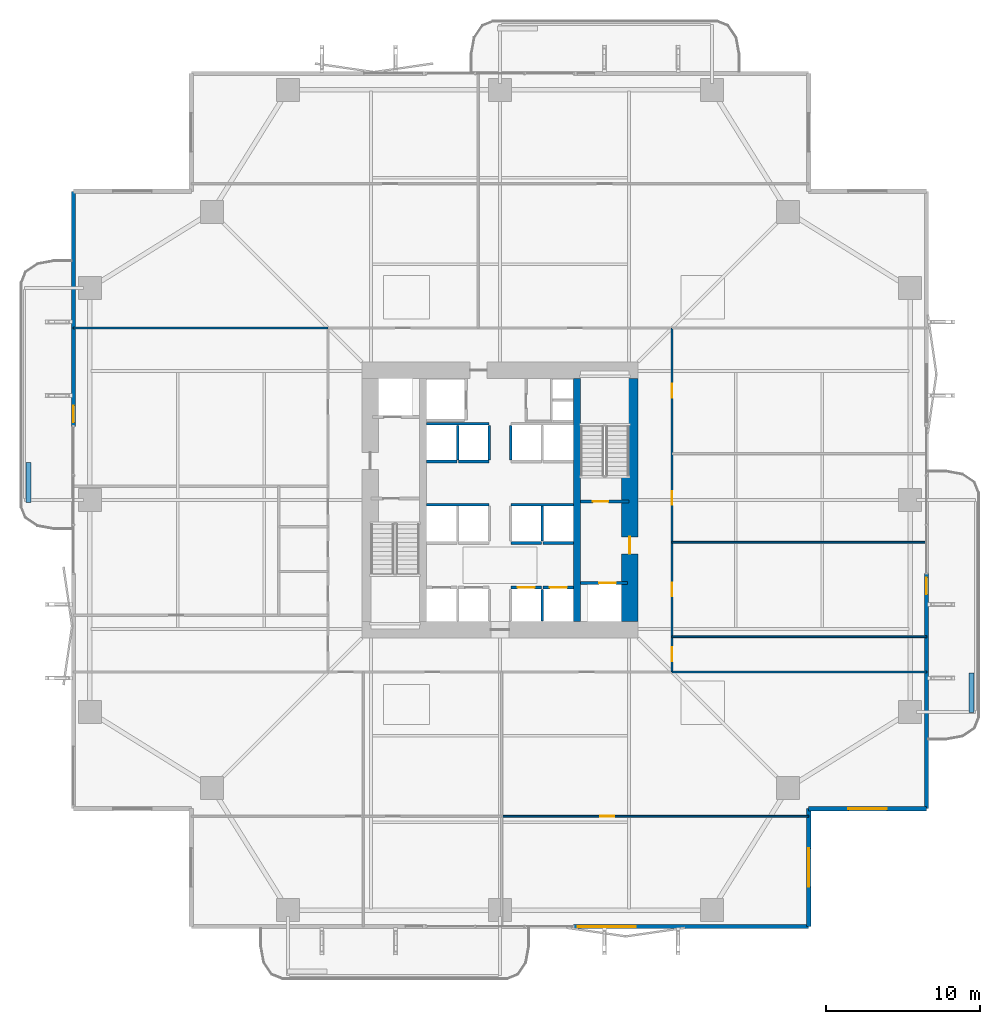
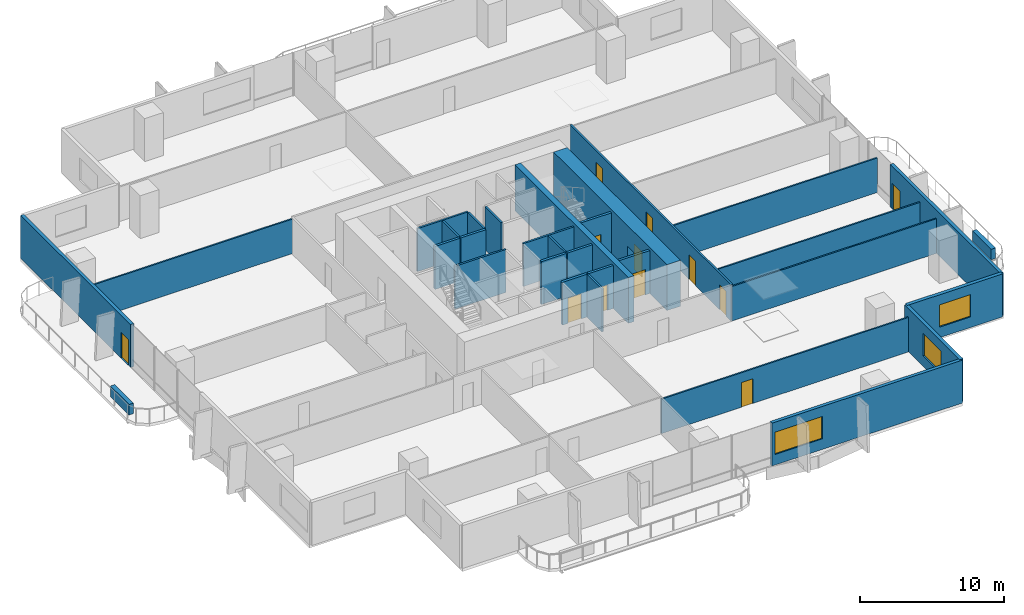
# One storey, part 18 of 23: 31 walls, 12 doors, 3 windows, 15 openings.
"""IFC4 building model written with IfcOpenShell, lengths in metres."""

from ifc_helpers import new_model, si_unit, direction, frame, frame_2d, origin, place, context, subcontext, project, spatial, rectangle, extrude, material, layer, layer_set, type_object, element, fill, save


model = new_model("IFC4")

# Units and contexts
model_context = context("Model", 3, precision=1e-05, world=origin(), true_north=direction((0.0, 1.0)))
body_context = subcontext(model_context, "Body", "Model", "MODEL_VIEW")
ifc_project = project(units=[si_unit("LENGTHUNIT", "METRE"), si_unit("AREAUNIT", "SQUARE_METRE"), si_unit("VOLUMEUNIT", "CUBIC_METRE"), si_unit("PLANEANGLEUNIT", "RADIAN"), si_unit("MASSUNIT", "GRAM", prefix="KILO")], contexts=[model_context])

# Site, building, storey
site_placement = place(None, origin())
site = spatial("IfcSite", under=ifc_project, at=site_placement, CompositionType="ELEMENT")
building_placement = place(site_placement, origin())
building = spatial("IfcBuilding", under=site, at=building_placement, Name="Belovzor Exchange Tower", CompositionType="ELEMENT")
storey_placement = place(building_placement, frame((0.0, 0.0, 76.800048828125)))
storey = spatial("IfcBuildingStorey", under=building, at=storey_placement, Name="L18", CompositionType="ELEMENT", Elevation=76.800048828125)

# Wall, opening, door
ifc_material_1 = material(Name="Acoustic Plasterboard on Galvanised Studs", Category="gypsum")
ifc_layer_1 = layer(ifc_material_1, 0.1201171875)
ifc_layer_set_1 = layer_set([ifc_layer_1], Name="Acoustic Plasterboard on Galvanised Studs")
wall_type_1 = type_object("IfcWallType", Name="Acoustic Double-Stud Partition Wall 120", PredefinedType="PARTITIONING", material=ifc_layer_set_1)
wall_1_placement = place(storey_placement, frame((28.904052734375, 8.2119140625, 0.0), z_axis=(0.0, 0.0, 1.0), x_axis=(1.0, 0.0, 0.0)))
wall_1 = element("IfcWall", 1, at=wall_1_placement, inside=storey, type_object=wall_type_1, Name="W-P120 Partition Wall W-L18-SHDIV-2", PredefinedType="PARTITIONING", context=body_context, shape_type="SweptSolid", body=[
    extrude(rectangle(XDim=19.995849609375, YDim=0.1201171875, at=frame_2d((9.998046875, 0.0))), origin(), (0.0, 0.0, 1.0), 2.93505859375),
])
opening_1_placement = place(wall_1_placement, frame((6.431884765625, 0.0, 0.0)))
opening_1 = element("IfcOpeningElement", 2, at=opening_1_placement, cuts=wall_1, Name="Opening D-INT-090", PredefinedType="OPENING", context=body_context, shape_type="SweptSolid", body=[
    extrude(rectangle(XDim=0.89990234375, YDim=2.10009765625, at=frame_2d((0.449951171875, 1.050048828125))), frame((0.0, 0.070068359375, 0.0), z_axis=(0.0, -1.0, 0.0), x_axis=(1.0, 0.0, 0.0)), (0.0, 0.0, 1.0), 0.14013671875),
])
ifc_material_2 = material(Name="Veneered Hardwood Acoustic Leaf", Category="wood")
door_type_1 = type_object("IfcDoorType", Name="Trading Suite Acoustic Single Door 900x2100", OperationType="NOTDEFINED", PredefinedType="DOOR", material=ifc_material_2)
door_1_placement = place(opening_1_placement, origin())
door_1 = element("IfcDoor", 3, at=door_1_placement, inside=storey, type_object=door_type_1, Name="D-INT-090 Trading Suite Acoustic Single Door 900x2100", OperationType="SINGLE_SWING_LEFT", OverallHeight=2.10009765625, OverallWidth=0.89990234375, PredefinedType="DOOR", context=body_context, shape_type="SweptSolid", body=[
    extrude(rectangle(XDim=0.89990234375, YDim=2.10009765625, at=frame_2d((0.449951171875, 1.050048828125))), frame((0.0, 0.02490234375, 0.0), z_axis=(0.0, -1.0, 0.0), x_axis=(1.0, 0.0, 0.0)), (0.0, 0.0, 1.0), 0.050048828125),
])
fill(opening_1, door_1)

# Walls
for number, where, z_axis, x_axis, name in (
    (4, (40.0, 17.60009765625, 0.0), (0.0, 0.0, 1.0), (1.0, 0.0, 0.0), "W-P120 Partition Wall W-L18-END-SE"),
    (5, (1.030029296875, 40.0, 0.0), (0.0, 0.0, 1.0), (1.0, 0.0, 0.0), "W-P120 Partition Wall W-L18-END-NW"),
    (6, (40.0, 19.89990234375, 0.0), (0.0, 0.0, 1.0), (1.0, 0.0, 0.0), "W-P120 Partition Wall W-L18-EDIV-1"),
    (7, (40.0, 26.053955078125, 0.0), (0.0, 0.0, 1.0), (1.0, 0.0, 0.0), "W-P120 Partition Wall W-L18-EDIV-2"),
):
    element("IfcWall", number, at=place(storey_placement, frame(where, z_axis=z_axis, x_axis=x_axis)), inside=storey, type_object=wall_type_1, Name=name, PredefinedType="PARTITIONING", context=body_context, shape_type="SweptSolid", body=[
        extrude(rectangle(XDim=16.570068359375, YDim=0.1201171875, at=frame_2d((8.28515625, 0.0))), origin(), (0.0, 0.0, 1.0), 2.93505859375),
    ])

# Wall, openings, doors
ifc_material_3 = material(Name="Fire-Rated Gypsum Block and Mineral Wool", Category="gypsum")
ifc_layer_2 = layer(ifc_material_3, 0.14990234375)
ifc_layer_set_2 = layer_set([ifc_layer_2], Name="Fire-Rated Gypsum Block and Mineral Wool")
wall_type_2 = type_object("IfcWallType", Name="Fire-Rated Gypsum Block Corridor Wall 150", PredefinedType="PARTITIONING", material=ifc_layer_set_2)
wall_2_placement = place(storey_placement, frame((40.0, 17.60009765625, 0.0), z_axis=(0.0, 0.0, 1.0), x_axis=(0.0, 1.0, 0.0)))
wall_2 = element("IfcWall", 8, at=wall_2_placement, inside=storey, type_object=wall_type_2, Name="W-P150 Partition Wall W-L18-CE", PredefinedType="PARTITIONING", context=body_context, shape_type="SweptSolid", body=[
    extrude(rectangle(XDim=22.39990234375, YDim=0.14990234375, at=frame_2d((11.199951171875, 0.0))), origin(), (0.0, 0.0, 1.0), 3.0849609375),
])
opening_2_placement = place(wall_2_placement, frame((0.699951171875, 0.0, 0.0)))
opening_2 = element("IfcOpeningElement", 9, at=opening_2_placement, cuts=wall_2, Name="Opening D-INT-090", PredefinedType="OPENING", context=body_context, shape_type="SweptSolid", body=[
    extrude(rectangle(XDim=0.89990234375, YDim=2.10009765625, at=frame_2d((0.449951171875, 1.050048828125))), frame((0.0, 0.0849609375, 0.0), z_axis=(0.0, -1.0, 0.0), x_axis=(1.0, 0.0, 0.0)), (0.0, 0.0, 1.0), 0.169921875),
])
opening_3_placement = place(wall_2_placement, frame((4.927001953125, 0.0, 0.0)))
opening_3 = element("IfcOpeningElement", 10, at=opening_3_placement, cuts=wall_2, Name="Opening D-INT-090", PredefinedType="OPENING", context=body_context, shape_type="SweptSolid", body=[
    extrude(rectangle(XDim=0.89990234375, YDim=2.10009765625, at=frame_2d((0.449951171875, 1.050048828125))), frame((0.0, 0.0849609375, 0.0), z_axis=(0.0, -1.0, 0.0), x_axis=(1.0, 0.0, 0.0)), (0.0, 0.0, 1.0), 0.169921875),
])
opening_4_placement = place(wall_2_placement, frame((10.885986328125, 0.0, 0.0)))
opening_4 = element("IfcOpeningElement", 11, at=opening_4_placement, cuts=wall_2, Name="Opening D-INT-090", PredefinedType="OPENING", context=body_context, shape_type="SweptSolid", body=[
    extrude(rectangle(XDim=0.89990234375, YDim=2.10009765625, at=frame_2d((0.449951171875, 1.050048828125))), frame((0.0, 0.0849609375, 0.0), z_axis=(0.0, -1.0, 0.0), x_axis=(1.0, 0.0, 0.0)), (0.0, 0.0, 1.0), 0.169921875),
])
opening_5_placement = place(wall_2_placement, frame((17.85888671875, 0.0, 0.0)))
opening_5 = element("IfcOpeningElement", 12, at=opening_5_placement, cuts=wall_2, Name="Opening D-INT-090", PredefinedType="OPENING", context=body_context, shape_type="SweptSolid", body=[
    extrude(rectangle(XDim=0.89990234375, YDim=2.10009765625, at=frame_2d((0.449951171875, 1.050048828125))), frame((0.0, 0.0849609375, 0.0), z_axis=(0.0, -1.0, 0.0), x_axis=(1.0, 0.0, 0.0)), (0.0, 0.0, 1.0), 0.169921875),
])
door_2_placement = place(opening_2_placement, origin())
door_2 = element("IfcDoor", 13, at=door_2_placement, inside=storey, type_object=door_type_1, Name="D-INT-090 Trading Suite Acoustic Single Door 900x2100", OperationType="SINGLE_SWING_LEFT", OverallHeight=2.10009765625, OverallWidth=0.89990234375, PredefinedType="DOOR", context=body_context, shape_type="SweptSolid", body=[
    extrude(rectangle(XDim=0.89990234375, YDim=2.10009765625, at=frame_2d((0.449951171875, 1.050048828125))), frame((0.0, 0.02490234375, 0.0), z_axis=(0.0, -1.0, 0.0), x_axis=(1.0, 0.0, 0.0)), (0.0, 0.0, 1.0), 0.050048828125),
])
fill(opening_2, door_2)
door_3_placement = place(opening_3_placement, origin())
door_3 = element("IfcDoor", 14, at=door_3_placement, inside=storey, type_object=door_type_1, Name="D-INT-090 Trading Suite Acoustic Single Door 900x2100", OperationType="SINGLE_SWING_RIGHT", OverallHeight=2.10009765625, OverallWidth=0.89990234375, PredefinedType="DOOR", context=body_context, shape_type="SweptSolid", body=[
    extrude(rectangle(XDim=0.89990234375, YDim=2.10009765625, at=frame_2d((0.449951171875, 1.050048828125))), frame((0.0, 0.02490234375, 0.0), z_axis=(0.0, -1.0, 0.0), x_axis=(1.0, 0.0, 0.0)), (0.0, 0.0, 1.0), 0.050048828125),
])
fill(opening_3, door_3)
door_4_placement = place(opening_4_placement, origin())
door_4 = element("IfcDoor", 15, at=door_4_placement, inside=storey, type_object=door_type_1, Name="D-INT-090 Trading Suite Acoustic Single Door 900x2100", OperationType="SINGLE_SWING_LEFT", OverallHeight=2.10009765625, OverallWidth=0.89990234375, PredefinedType="DOOR", context=body_context, shape_type="SweptSolid", body=[
    extrude(rectangle(XDim=0.89990234375, YDim=2.10009765625, at=frame_2d((0.449951171875, 1.050048828125))), frame((0.0, 0.02490234375, 0.0), z_axis=(0.0, -1.0, 0.0), x_axis=(1.0, 0.0, 0.0)), (0.0, 0.0, 1.0), 0.050048828125),
])
fill(opening_4, door_4)
door_5_placement = place(opening_5_placement, origin())
door_5 = element("IfcDoor", 16, at=door_5_placement, inside=storey, type_object=door_type_1, Name="D-INT-090 Trading Suite Acoustic Single Door 900x2100", OperationType="SINGLE_SWING_RIGHT", OverallHeight=2.10009765625, OverallWidth=0.89990234375, PredefinedType="DOOR", context=body_context, shape_type="SweptSolid", body=[
    extrude(rectangle(XDim=0.89990234375, YDim=2.10009765625, at=frame_2d((0.449951171875, 1.050048828125))), frame((0.0, 0.02490234375, 0.0), z_axis=(0.0, -1.0, 0.0), x_axis=(1.0, 0.0, 0.0)), (0.0, 0.0, 1.0), 0.050048828125),
])
fill(opening_5, door_5)

# Wall, opening, window
ifc_material_4 = material(Name="Precast concrete C40/50", Category="concrete")
ifc_layer_3 = layer(ifc_material_4, 0.280029296875)
ifc_layer_set_3 = layer_set([ifc_layer_3], Name="Precast concrete C40/50")
wall_type_3 = type_object("IfcWallType", Name="Precast Concrete Notched Corner Frame Wall 280", PredefinedType="SOLIDWALL", material=ifc_layer_set_3)
wall_3_placement = place(storey_placement, frame((56.570068359375, 8.699951171875, 0.0), z_axis=(0.0, 0.0, 1.0), x_axis=(-1.0, 0.0, 0.0)))
wall_3 = element("IfcWall", 17, at=wall_3_placement, inside=storey, type_object=wall_type_3, Name="W-CRN280 Precast Concrete Notched Corner Frame Wall 280 L18", PredefinedType="SOLIDWALL", context=body_context, shape_type="SweptSolid", body=[
    extrude(rectangle(XDim=7.670166015625, YDim=0.280029296875, at=frame_2d((3.8349609375, 0.0))), origin(), (0.0, 0.0, 1.0), 3.64990234375),
])
opening_6_placement = place(wall_3_placement, frame((2.5849609375, 0.0, 0.89990234375)))
opening_6 = element("IfcOpeningElement", 18, at=opening_6_placement, cuts=wall_3, Name="Opening WN-CRN250", PredefinedType="OPENING", context=body_context, shape_type="SweptSolid", body=[
    extrude(rectangle(XDim=2.5, YDim=1.89990234375, at=frame_2d((1.25, 0.949951171875))), frame((0.0, 0.14990234375, 0.0), z_axis=(0.0, -1.0, 0.0), x_axis=(1.0, 0.0, 0.0)), (0.0, 0.0, 1.0), 0.300048828125),
])
ifc_material_5 = material(Name="Thermally Broken Aluminium and Triple Glazing", Category="aluminium")
window_type_1 = type_object("IfcWindowType", Name="Streamline Moderne Corner Wrap Ribbon Window 2500x1900", PartitioningType="SINGLE_PANEL", PredefinedType="WINDOW", material=ifc_material_5)
window_1_placement = place(opening_6_placement, origin())
window_1 = element("IfcWindow", 19, at=window_1_placement, inside=storey, type_object=window_type_1, Name="WN-CRN250 Streamline Moderne Corner Wrap Ribbon Window 2500x1900", OverallHeight=1.89990234375, OverallWidth=2.5, PartitioningType="SINGLE_PANEL", PredefinedType="WINDOW", context=body_context, shape_type="SweptSolid", body=[
    extrude(rectangle(XDim=2.5, YDim=1.89990234375, at=frame_2d((1.25, 0.949951171875))), frame((0.0, 0.030029296875, 0.0), z_axis=(0.0, -1.0, 0.0), x_axis=(1.0, 0.0, 0.0)), (0.0, 0.0, 1.0), 0.06005859375),
])
fill(opening_6, window_1)

wall_4_placement = place(storey_placement, frame((48.89990234375, 8.699951171875, 0.0), z_axis=(0.0, 0.0, 1.0), x_axis=(0.0, -1.0, 0.0)))
wall_4 = element("IfcWall", 20, at=wall_4_placement, inside=storey, type_object=wall_type_3, Name="W-CRN280 Precast Concrete Notched Corner Frame Wall 280 L18", PredefinedType="SOLIDWALL", context=body_context, shape_type="SweptSolid", body=[
    extrude(rectangle(XDim=7.669921875, YDim=0.280029296875, at=frame_2d((3.8349609375, 0.0))), origin(), (0.0, 0.0, 1.0), 3.64990234375),
])
opening_7_placement = place(wall_4_placement, frame((2.5849609375, 0.0, 0.89990234375)))
opening_7 = element("IfcOpeningElement", 21, at=opening_7_placement, cuts=wall_4, Name="Opening WN-CRN250", PredefinedType="OPENING", context=body_context, shape_type="SweptSolid", body=[
    extrude(rectangle(XDim=2.5, YDim=1.89990234375, at=frame_2d((1.25, 0.949951171875))), frame((0.0, 0.14990234375, 0.0), z_axis=(0.0, -1.0, 0.0), x_axis=(1.0, 0.0, 0.0)), (0.0, 0.0, 1.0), 0.300048828125),
])
window_2_placement = place(opening_7_placement, origin())
window_2 = element("IfcWindow", 22, at=window_2_placement, inside=storey, type_object=window_type_1, Name="WN-CRN250 Streamline Moderne Corner Wrap Ribbon Window 2500x1900", OverallHeight=1.89990234375, OverallWidth=2.5, PartitioningType="SINGLE_PANEL", PredefinedType="WINDOW", context=body_context, shape_type="SweptSolid", body=[
    extrude(rectangle(XDim=2.5, YDim=1.89990234375, at=frame_2d((1.25, 0.949951171875))), frame((0.0, 0.030029296875, 0.0), z_axis=(0.0, -1.0, 0.0), x_axis=(1.0, 0.0, 0.0)), (0.0, 0.0, 1.0), 0.06005859375),
])
fill(opening_7, window_2)

ifc_material_6 = material(Name="Precast concrete C40/50", Category="concrete")
ifc_layer_4 = layer(ifc_material_6, 0.260009765625)
ifc_layer_set_4 = layer_set([ifc_layer_4], Name="Precast concrete C40/50")
wall_type_4 = type_object("IfcWallType", Name="Precast Concrete Perimeter Loggia Frame Wall 260", PredefinedType="SOLIDWALL", material=ifc_layer_set_4)
wall_5_placement = place(storey_placement, frame((48.89990234375, 1.030029296875, 0.0), z_axis=(0.0, 0.0, 1.0), x_axis=(-1.0, 0.0, 0.0)))
wall_5 = element("IfcWall", 23, at=wall_5_placement, inside=storey, type_object=wall_type_4, Name="W-EXT260 Precast Concrete Perimeter Loggia Frame Wall 260 L18", PredefinedType="SOLIDWALL", context=body_context, shape_type="SweptSolid", body=[
    extrude(rectangle(XDim=15.2998046875, YDim=0.260009765625, at=frame_2d((7.64990234375, 0.0))), origin(), (0.0, 0.0, 1.0), 3.64990234375),
])
opening_8_placement = place(wall_5_placement, frame((11.25, 0.0, 0.89990234375)))
opening_8 = element("IfcOpeningElement", 24, at=opening_8_placement, cuts=wall_5, Name="Opening WN-RIB380", PredefinedType="OPENING", context=body_context, shape_type="SweptSolid", body=[
    extrude(rectangle(XDim=3.800048828125, YDim=1.89990234375, at=frame_2d((1.89990234375, 0.949951171875))), frame((0.0, 0.139892578125, 0.0), z_axis=(0.0, -1.0, 0.0), x_axis=(1.0, 0.0, 0.0)), (0.0, 0.0, 1.0), 0.280029296875),
])
ifc_material_7 = material(Name="Thermally Broken Aluminium and Triple Glazing", Category="aluminium")
window_type_2 = type_object("IfcWindowType", Name="Streamline Moderne Horizontal Ribbon Window 3800x1900", PartitioningType="SINGLE_PANEL", PredefinedType="WINDOW", material=ifc_material_7)
window_3_placement = place(opening_8_placement, origin())
window_3 = element("IfcWindow", 25, at=window_3_placement, inside=storey, type_object=window_type_2, Name="WN-RIB380 Streamline Moderne Horizontal Ribbon Window 3800x1900", OverallHeight=1.89990234375, OverallWidth=3.800048828125, PartitioningType="SINGLE_PANEL", PredefinedType="WINDOW", context=body_context, shape_type="SweptSolid", body=[
    extrude(rectangle(XDim=3.800048828125, YDim=1.89990234375, at=frame_2d((1.89990234375, 0.949951171875))), frame((0.0, 0.030029296875, 0.0), z_axis=(0.0, -1.0, 0.0), x_axis=(1.0, 0.0, 0.0)), (0.0, 0.0, 1.0), 0.06005859375),
])
fill(opening_8, window_3)

# Wall, opening, door
wall_6_placement = place(storey_placement, frame((1.030029296875, 33.60009765625, 0.0), z_axis=(0.0, 0.0, 1.0), x_axis=(0.0, 1.0, 0.0)))
wall_6 = element("IfcWall", 26, at=wall_6_placement, inside=storey, type_object=wall_type_4, Name="W-EXT260 Precast Concrete Perimeter Loggia Frame Wall 260 L18", PredefinedType="SOLIDWALL", context=body_context, shape_type="SweptSolid", body=[
    extrude(rectangle(XDim=15.2998046875, YDim=0.260009765625, at=frame_2d((7.64990234375, 0.0))), origin(), (0.0, 0.0, 1.0), 3.64990234375),
])
opening_9_placement = place(wall_6_placement, frame((0.25, 0.0, 0.0)))
opening_9 = element("IfcOpeningElement", 27, at=opening_9_placement, cuts=wall_6, Name="Opening D-BAL110", PredefinedType="OPENING", context=body_context, shape_type="SweptSolid", body=[
    extrude(rectangle(XDim=1.10009765625, YDim=2.199951171875, at=frame_2d((0.550048828125, 1.10009765625))), frame((0.0, 0.139892578125, 0.0), z_axis=(0.0, -1.0, 0.0), x_axis=(1.0, 0.0, 0.0)), (0.0, 0.0, 1.0), 0.280029296875),
])
ifc_material_8 = material(Name="Thermally Broken Anodised Aluminium and Laminated Glass", Category="aluminium")
door_type_2 = type_object("IfcDoorType", Name="Planted Loggia Terrace Glazed Door 1100x2200", OperationType="SINGLE_SWING_LEFT", PredefinedType="DOOR", material=ifc_material_8)
door_6_placement = place(opening_9_placement, origin())
door_6 = element("IfcDoor", 28, at=door_6_placement, inside=storey, type_object=door_type_2, Name="D-BAL110 Balcony Terrace Door L18 W", OperationType="SINGLE_SWING_RIGHT", OverallHeight=2.199951171875, OverallWidth=1.10009765625, PredefinedType="DOOR", context=body_context, shape_type="SweptSolid", body=[
    extrude(rectangle(XDim=1.10009765625, YDim=2.199951171875, at=frame_2d((0.550048828125, 1.10009765625))), frame((0.0, 0.02490234375, 0.0), z_axis=(0.0, -1.0, 0.0), x_axis=(1.0, 0.0, 0.0)), (0.0, 0.0, 1.0), 0.050048828125),
])
fill(opening_9, door_6)

wall_7_placement = place(storey_placement, frame((56.570068359375, 24.0, 0.0), z_axis=(0.0, 0.0, 1.0), x_axis=(0.0, -1.0, 0.0)))
wall_7 = element("IfcWall", 29, at=wall_7_placement, inside=storey, type_object=wall_type_4, Name="W-EXT260 Precast Concrete Perimeter Loggia Frame Wall 260 L18", PredefinedType="SOLIDWALL", context=body_context, shape_type="SweptSolid", body=[
    extrude(rectangle(XDim=15.300048828125, YDim=0.260009765625, at=frame_2d((7.64990234375, 0.0))), origin(), (0.0, 0.0, 1.0), 3.64990234375),
])
opening_10_placement = place(wall_7_placement, frame((0.25, 0.0, 0.0)))
opening_10 = element("IfcOpeningElement", 30, at=opening_10_placement, cuts=wall_7, Name="Opening D-BAL110", PredefinedType="OPENING", context=body_context, shape_type="SweptSolid", body=[
    extrude(rectangle(XDim=1.10009765625, YDim=2.199951171875, at=frame_2d((0.550048828125, 1.10009765625))), frame((0.0, 0.139892578125, 0.0), z_axis=(0.0, -1.0, 0.0), x_axis=(1.0, 0.0, 0.0)), (0.0, 0.0, 1.0), 0.280029296875),
])
door_7_placement = place(opening_10_placement, origin())
door_7 = element("IfcDoor", 31, at=door_7_placement, inside=storey, type_object=door_type_2, Name="D-BAL110 Balcony Terrace Door L18 E", OperationType="SINGLE_SWING_LEFT", OverallHeight=2.199951171875, OverallWidth=1.10009765625, PredefinedType="DOOR", context=body_context, shape_type="SweptSolid", body=[
    extrude(rectangle(XDim=1.10009765625, YDim=2.199951171875, at=frame_2d((0.550048828125, 1.10009765625))), frame((0.0, 0.02490234375, 0.0), z_axis=(0.0, -1.0, 0.0), x_axis=(1.0, 0.0, 0.0)), (0.0, 0.0, 1.0), 0.050048828125),
])
fill(opening_10, door_7)

# Walls
ifc_material_9 = material(Name="Precast concrete C40/50", Category="concrete")
ifc_layer_5 = layer(ifc_material_9, 0.35009765625)
ifc_layer_set_5 = layer_set([ifc_layer_5], Name="Precast concrete C40/50")
wall_type_5 = type_object("IfcWallType", Name="Precast Concrete Structural Tree Planter Trough 350", PredefinedType="PARAPET", material=ifc_layer_set_5)
for number, where, z_axis, x_axis, name in (
    (32, (59.5, 14.949951171875, 0.0), (0.0, 0.0, 1.0), (0.0, 1.0, 0.0), "PT-350 Precast Concrete Structural Tree Planter Trough 350 L18"),
    (33, (-1.89990234375, 28.64990234375, 0.0), (0.0, 0.0, 1.0), (0.0, 1.0, 0.0), "PT-350 Precast Concrete Structural Tree Planter Trough 350 L18"),
):
    element("IfcWall", number, at=place(storey_placement, frame(where, z_axis=z_axis, x_axis=x_axis)), inside=storey, type_object=wall_type_5, Name=name, PredefinedType="PARAPET", context=body_context, shape_type="SweptSolid", body=[
        extrude(rectangle(XDim=2.60009765625, YDim=0.35009765625, at=frame_2d((1.300048828125, 0.0))), origin(), (0.0, 0.0, 1.0), 0.89990234375),
    ])
ifc_material_10 = material(Name="Concrete C50/60", Category="concrete")
ifc_layer_6 = layer(ifc_material_10, 0.449951171875)
ifc_layer_set_6 = layer_set([ifc_layer_6], Name="Concrete C50/60")
wall_type_6 = type_object("IfcWallType", Name="Reinforced Concrete Core Internal Web Wall 450", PredefinedType="SHEAR", material=ifc_layer_set_6)
wall_8_placement = place(storey_placement, frame((33.824951171875, 20.89990234375, 0.0), z_axis=(0.0, 0.0, 1.0), x_axis=(0.0, 1.0, 0.0)))
element("IfcWall", 34, at=wall_8_placement, inside=storey, type_object=wall_type_6, Name="CW-W045 Core Internal Web Wall L18 ER", PredefinedType="SHEAR", context=body_context, shape_type="SweptSolid", body=[
    extrude(rectangle(XDim=15.800048828125, YDim=0.449951171875, at=frame_2d((7.89990234375, 0.0))), origin(), (0.0, 0.0, 1.0), 3.89990234375),
])
ifc_material_11 = material(Name="Concrete C50/60", Category="concrete")
ifc_layer_7 = layer(ifc_material_11, 0.14990234375)
ifc_layer_set_7 = layer_set([ifc_layer_7], Name="Concrete C50/60")
wall_type_7 = type_object("IfcWallType", Name="Reinforced Concrete Core Riser Shear Wall 150", PredefinedType="SHEAR", material=ifc_layer_set_7)
wall_9_placement = place(storey_placement, frame((31.550048828125, 20.919921875, 0.0), z_axis=(0.0, 0.0, 1.0), x_axis=(0.0, 1.0, 0.0)))
element("IfcWall", 35, at=wall_9_placement, inside=storey, type_object=wall_type_7, Name="W-C150S Core Shaft Wall W-SHD-L18-PLL-4", PredefinedType="SHEAR", context=body_context, shape_type="SweptSolid", body=[
    extrude(rectangle(XDim=2.06005859375, YDim=0.14990234375, at=frame_2d((1.030029296875, 0.0))), origin(), (0.0, 0.0, 1.0), 3.64990234375),
])
for number, where, z_axis, x_axis, name in (
    (36, (24.02001953125, 28.5, 0.0), (0.0, 0.0, 1.0), (1.0, 0.0, 0.0), "W-C150S Core Shaft Wall W-SHB-L18-PLM-NW"),
    (37, (29.5, 28.5, 0.0), (0.0, 0.0, 1.0), (1.0, 0.0, 0.0), "W-C150S Core Shaft Wall W-SHB-L18-PLM-NE"),
):
    element("IfcWall", number, at=place(storey_placement, frame(where, z_axis=z_axis, x_axis=x_axis)), inside=storey, type_object=wall_type_7, Name=name, PredefinedType="SHEAR", context=body_context, shape_type="SweptSolid", body=[
        extrude(rectangle(XDim=4.080078125, YDim=0.14990234375, at=frame_2d((2.0400390625, 0.0))), origin(), (0.0, 0.0, 1.0), 3.64990234375),
    ])
wall_10_placement = place(storey_placement, frame((31.550048828125, 26.1201171875, 0.0), z_axis=(0.0, 0.0, 1.0), x_axis=(0.0, 1.0, 0.0)))
element("IfcWall", 38, at=wall_10_placement, inside=storey, type_object=wall_type_7, Name="W-C150S Core Shaft Wall W-SHD-L18-PLM-4", PredefinedType="SHEAR", context=body_context, shape_type="SweptSolid", body=[
    extrude(rectangle(XDim=2.27978515625, YDim=0.14990234375, at=frame_2d((1.139892578125, 0.0))), origin(), (0.0, 0.0, 1.0), 3.64990234375),
])
wall_11_placement = place(storey_placement, frame((24.02001953125, 33.760009765625, 0.0), z_axis=(0.0, 0.0, 1.0), x_axis=(1.0, 0.0, 0.0)))
element("IfcWall", 39, at=wall_11_placement, inside=storey, type_object=wall_type_7, Name="W-C150S Core Shaft Wall W-SHB-L18-PLH-NW", PredefinedType="SHEAR", context=body_context, shape_type="SweptSolid", body=[
    extrude(rectangle(XDim=4.080078125, YDim=0.14990234375, at=frame_2d((2.0400390625, 0.0))), origin(), (0.0, 0.0, 1.0), 3.64990234375),
])
for number, where, z_axis, x_axis, name in (
    (40, (26.050048828125, 31.419921875, 0.0), (0.0, 0.0, 1.0), (0.0, 1.0, 0.0), "W-C150S Core Shaft Wall W-SHD-L18-PLH-1"),
    (41, (28.10009765625, 31.419921875, 0.0), (0.0, 0.0, 1.0), (0.0, 1.0, 0.0), "W-C150S Core Shaft Wall W-SHD-L18-PLH-2"),
    (42, (29.5, 31.419921875, 0.0), (0.0, 0.0, 1.0), (0.0, 1.0, 0.0), "W-C150S Core Shaft Wall W-SHD-L18-PLH-3"),
):
    element("IfcWall", number, at=place(storey_placement, frame(where, z_axis=z_axis, x_axis=x_axis)), inside=storey, type_object=wall_type_7, Name=name, PredefinedType="SHEAR", context=body_context, shape_type="SweptSolid", body=[
        extrude(rectangle(XDim=2.239990234375, YDim=0.14990234375, at=frame_2d((1.1201171875, 0.0))), origin(), (0.0, 0.0, 1.0), 3.64990234375),
    ])

# Wall, opening, door
ifc_material_12 = material(Name="Concrete C50/60", Category="concrete")
ifc_layer_8 = layer(ifc_material_12, 0.199951171875)
ifc_layer_set_8 = layer_set([ifc_layer_8], Name="Concrete C50/60")
wall_type_8 = type_object("IfcWallType", Name="Reinforced Concrete Core Shaft Shear Wall 200", PredefinedType="SHEAR", material=ifc_layer_set_8)
wall_12_placement = place(storey_placement, frame((34.050048828125, 28.699951171875, 0.0), z_axis=(0.0, 0.0, 1.0), x_axis=(1.0, 0.0, 0.0)))
wall_12 = element("IfcWall", 43, at=wall_12_placement, inside=storey, type_object=wall_type_8, Name="W-C200S Core Shaft Wall W-CORE-L18-FFLE2", PredefinedType="SHEAR", context=body_context, shape_type="SweptSolid", body=[
    extrude(rectangle(XDim=3.14990234375, YDim=0.199951171875, at=frame_2d((1.574951171875, 0.0))), origin(), (0.0, 0.0, 1.0), 3.64990234375),
])
opening_11_placement = place(wall_12_placement, frame((0.800048828125, 0.0, 0.0)))
opening_11 = element("IfcOpeningElement", 44, at=opening_11_placement, cuts=wall_12, Name="Opening D-FD90-100", PredefinedType="OPENING", context=body_context, shape_type="SweptSolid", body=[
    extrude(rectangle(XDim=1.0, YDim=2.10009765625, at=frame_2d((0.5, 1.050048828125))), frame((0.0, 0.10986328125, 0.0), z_axis=(0.0, -1.0, 0.0), x_axis=(1.0, 0.0, 0.0)), (0.0, 0.0, 1.0), 0.219970703125),
])
ifc_material_13 = material(Name="Fire-Rated Galvanised Steel Leaf", Category="steel")
door_type_3 = type_object("IfcDoorType", Name="Protected Stairwell Single Fire Door 1000x2100", OperationType="NOTDEFINED", PredefinedType="DOOR", material=ifc_material_13)
door_8_placement = place(opening_11_placement, origin())
door_8 = element("IfcDoor", 45, at=door_8_placement, inside=storey, type_object=door_type_3, Name="D-FD90-100 Protected Stairwell Single Fire Door 1000x2100", OperationType="SINGLE_SWING_LEFT", OverallHeight=2.10009765625, OverallWidth=1.0, PredefinedType="DOOR", context=body_context, shape_type="SweptSolid", body=[
    extrude(rectangle(XDim=1.0, YDim=2.10009765625, at=frame_2d((0.5, 1.050048828125))), frame((0.0, 0.02490234375, 0.0), z_axis=(0.0, -1.0, 0.0), x_axis=(1.0, 0.0, 0.0)), (0.0, 0.0, 1.0), 0.050048828125),
])
fill(opening_11, door_8)

wall_13_placement = place(storey_placement, frame((34.050048828125, 23.39990234375, 0.0), z_axis=(0.0, 0.0, 1.0), x_axis=(1.0, 0.0, 0.0)))
wall_13 = element("IfcWall", 46, at=wall_13_placement, inside=storey, type_object=wall_type_8, Name="W-C200S Core Shaft Wall W-SH-L18-FFL-02", PredefinedType="SHEAR", context=body_context, shape_type="SweptSolid", body=[
    extrude(rectangle(XDim=3.050048828125, YDim=0.199951171875, at=frame_2d((1.52490234375, 0.0))), origin(), (0.0, 0.0, 1.0), 3.64990234375),
])
opening_12_placement = place(wall_13_placement, frame((1.199951171875, 0.0, 0.0)))
opening_12 = element("IfcOpeningElement", 47, at=opening_12_placement, cuts=wall_13, Name="Opening LD-110", PredefinedType="OPENING", context=body_context, shape_type="SweptSolid", body=[
    extrude(rectangle(XDim=1.10009765625, YDim=2.14990234375, at=frame_2d((0.550048828125, 1.074951171875))), frame((0.0, 0.10986328125, 0.0), z_axis=(0.0, -1.0, 0.0), x_axis=(1.0, 0.0, 0.0)), (0.0, 0.0, 1.0), 0.219970703125),
])
ifc_material_14 = material(Name="Stainless Steel Grade 304", Category="steel")
door_type_4 = type_object("IfcDoorType", Name="Automated Stainless Steel Lift Landing Door 1100x2150", OperationType="SLIDING_TO_RIGHT", PredefinedType="DOOR", material=ifc_material_14)
door_9_placement = place(opening_12_placement, origin())
door_9 = element("IfcDoor", 48, at=door_9_placement, inside=storey, type_object=door_type_4, Name="LD-110 Automated Stainless Steel Lift Landing Door 1100x2150", OperationType="SLIDING_TO_RIGHT", OverallHeight=2.14990234375, OverallWidth=1.10009765625, PredefinedType="DOOR", context=body_context, shape_type="SweptSolid", body=[
    extrude(rectangle(XDim=1.10009765625, YDim=2.14990234375, at=frame_2d((0.550048828125, 1.074951171875))), frame((0.0, 0.02490234375, 0.0), z_axis=(0.0, -1.0, 0.0), x_axis=(1.0, 0.0, 0.0)), (0.0, 0.0, 1.0), 0.050048828125),
])
fill(opening_12, door_9)

wall_14_placement = place(storey_placement, frame((29.5, 23.10009765625, 0.0), z_axis=(0.0, 0.0, 1.0), x_axis=(1.0, 0.0, 0.0)))
wall_14 = element("IfcWall", 49, at=wall_14_placement, inside=storey, type_object=wall_type_8, Name="W-C200S Core Shaft Wall W-SH-L18-PL-L3", PredefinedType="SHEAR", context=body_context, shape_type="SweptSolid", body=[
    extrude(rectangle(XDim=2.0, YDim=0.199951171875, at=frame_2d((1.0, 0.0))), origin(), (0.0, 0.0, 1.0), 3.64990234375),
])
opening_13_placement = place(wall_14_placement, frame((0.449951171875, 0.0, 0.0)))
opening_13 = element("IfcOpeningElement", 50, at=opening_13_placement, cuts=wall_14, Name="Opening LD-110", PredefinedType="OPENING", context=body_context, shape_type="SweptSolid", body=[
    extrude(rectangle(XDim=1.10009765625, YDim=2.14990234375, at=frame_2d((0.550048828125, 1.074951171875))), frame((0.0, 0.10986328125, 0.0), z_axis=(0.0, -1.0, 0.0), x_axis=(1.0, 0.0, 0.0)), (0.0, 0.0, 1.0), 0.219970703125),
])
door_10_placement = place(opening_13_placement, origin())
door_10 = element("IfcDoor", 51, at=door_10_placement, inside=storey, type_object=door_type_4, Name="LD-110 Automated Stainless Steel Lift Landing Door 1100x2150", OperationType="SLIDING_TO_RIGHT", OverallHeight=2.14990234375, OverallWidth=1.10009765625, PredefinedType="DOOR", context=body_context, shape_type="SweptSolid", body=[
    extrude(rectangle(XDim=1.10009765625, YDim=2.14990234375, at=frame_2d((0.550048828125, 1.074951171875))), frame((0.0, 0.02490234375, 0.0), z_axis=(0.0, -1.0, 0.0), x_axis=(1.0, 0.0, 0.0)), (0.0, 0.0, 1.0), 0.050048828125),
])
fill(opening_13, door_10)

wall_15_placement = place(storey_placement, frame((31.60009765625, 23.10009765625, 0.0), z_axis=(0.0, 0.0, 1.0), x_axis=(1.0, 0.0, 0.0)))
wall_15 = element("IfcWall", 52, at=wall_15_placement, inside=storey, type_object=wall_type_8, Name="W-C200S Core Shaft Wall W-SH-L18-PL-L4", PredefinedType="SHEAR", context=body_context, shape_type="SweptSolid", body=[
    extrude(rectangle(XDim=2.0, YDim=0.199951171875, at=frame_2d((1.0, 0.0))), origin(), (0.0, 0.0, 1.0), 3.64990234375),
])
opening_14_placement = place(wall_15_placement, frame((0.449951171875, 0.0, 0.0)))
opening_14 = element("IfcOpeningElement", 53, at=opening_14_placement, cuts=wall_15, Name="Opening LD-110", PredefinedType="OPENING", context=body_context, shape_type="SweptSolid", body=[
    extrude(rectangle(XDim=1.10009765625, YDim=2.14990234375, at=frame_2d((0.550048828125, 1.074951171875))), frame((0.0, 0.10986328125, 0.0), z_axis=(0.0, -1.0, 0.0), x_axis=(1.0, 0.0, 0.0)), (0.0, 0.0, 1.0), 0.219970703125),
])
door_11_placement = place(opening_14_placement, origin())
door_11 = element("IfcDoor", 54, at=door_11_placement, inside=storey, type_object=door_type_4, Name="LD-110 Automated Stainless Steel Lift Landing Door 1100x2150", OperationType="SLIDING_TO_RIGHT", OverallHeight=2.14990234375, OverallWidth=1.10009765625, PredefinedType="DOOR", context=body_context, shape_type="SweptSolid", body=[
    extrude(rectangle(XDim=1.10009765625, YDim=2.14990234375, at=frame_2d((0.550048828125, 1.074951171875))), frame((0.0, 0.02490234375, 0.0), z_axis=(0.0, -1.0, 0.0), x_axis=(1.0, 0.0, 0.0)), (0.0, 0.0, 1.0), 0.050048828125),
])
fill(opening_14, door_11)

# Walls
for number, where, z_axis, x_axis, name in (
    (55, (29.5, 26.0, 0.0), (0.0, 0.0, 1.0), (1.0, 0.0, 0.0), "W-C200S Core Shaft Wall W-SH-L18-PL-M3"),
    (56, (31.60009765625, 26.0, 0.0), (0.0, 0.0, 1.0), (1.0, 0.0, 0.0), "W-C200S Core Shaft Wall W-SH-L18-PL-M4"),
    (57, (24.0, 31.300048828125, 0.0), (0.0, 0.0, 1.0), (1.0, 0.0, 0.0), "W-C200S Core Shaft Wall W-SH-L18-PL-H1"),
    (58, (26.10009765625, 31.300048828125, 0.0), (0.0, 0.0, 1.0), (1.0, 0.0, 0.0), "W-C200S Core Shaft Wall W-SH-L18-PL-H2"),
):
    element("IfcWall", number, at=place(storey_placement, frame(where, z_axis=z_axis, x_axis=x_axis)), inside=storey, type_object=wall_type_8, Name=name, PredefinedType="SHEAR", context=body_context, shape_type="SweptSolid", body=[
        extrude(rectangle(XDim=2.0, YDim=0.199951171875, at=frame_2d((1.0, 0.0))), origin(), (0.0, 0.0, 1.0), 3.64990234375),
    ])

# Wall, opening, door
ifc_material_15 = material(Name="Concrete C60/75", Category="concrete")
ifc_layer_9 = layer(ifc_material_15, 1.10009765625)
ifc_layer_set_9 = layer_set([ifc_layer_9], Name="Concrete C60/75")
wall_type_9 = type_object("IfcWallType", Name="Reinforced Concrete Core Shear Wall 1100", PredefinedType="SHEAR", material=ifc_layer_set_9)
wall_16_placement = place(storey_placement, frame((37.25, 20.89990234375, 0.0), z_axis=(0.0, 0.0, 1.0), x_axis=(0.0, 1.0, 0.0)))
wall_16 = element("IfcWall", 59, at=wall_16_placement, inside=storey, type_object=wall_type_9, Name="CW-S110 Core Shear Wall L18 E", PredefinedType="SHEAR", context=body_context, shape_type="SweptSolid", body=[
    extrude(rectangle(XDim=15.800048828125, YDim=1.10009765625, at=frame_2d((7.89990234375, 0.0))), origin(), (0.0, 0.0, 1.0), 3.89990234375),
])
opening_15_placement = place(wall_16_placement, frame((4.39990234375, 0.0, 0.0)))
opening_15 = element("IfcOpeningElement", 60, at=opening_15_placement, cuts=wall_16, Name="Opening D-FD90-110", PredefinedType="OPENING", context=body_context, shape_type="SweptSolid", body=[
    extrude(rectangle(XDim=1.10009765625, YDim=2.14990234375, at=frame_2d((0.550048828125, 1.074951171875))), frame((0.0, 0.56005859375, 0.0), z_axis=(0.0, -1.0, 0.0), x_axis=(1.0, 0.0, 0.0)), (0.0, 0.0, 1.0), 1.1201171875),
])
ifc_material_16 = material(Name="Fire-Rated Galvanised Steel Leaf", Category="steel")
door_type_5 = type_object("IfcDoorType", Name="Protected Escape Vestibule Fire Door 1100x2150", OperationType="NOTDEFINED", PredefinedType="DOOR", material=ifc_material_16)
door_12_placement = place(opening_15_placement, origin())
door_12 = element("IfcDoor", 61, at=door_12_placement, inside=storey, type_object=door_type_5, Name="D-FD90-110 Protected Escape Vestibule Fire Door 1100x2150", OperationType="SINGLE_SWING_RIGHT", OverallHeight=2.14990234375, OverallWidth=1.10009765625, PredefinedType="DOOR", context=body_context, shape_type="SweptSolid", body=[
    extrude(rectangle(XDim=1.10009765625, YDim=2.14990234375, at=frame_2d((0.550048828125, 1.074951171875))), frame((0.0, 0.02490234375, 0.0), z_axis=(0.0, -1.0, 0.0), x_axis=(1.0, 0.0, 0.0)), (0.0, 0.0, 1.0), 0.050048828125),
])
fill(opening_15, door_12)

save(model, "model.ifc")
